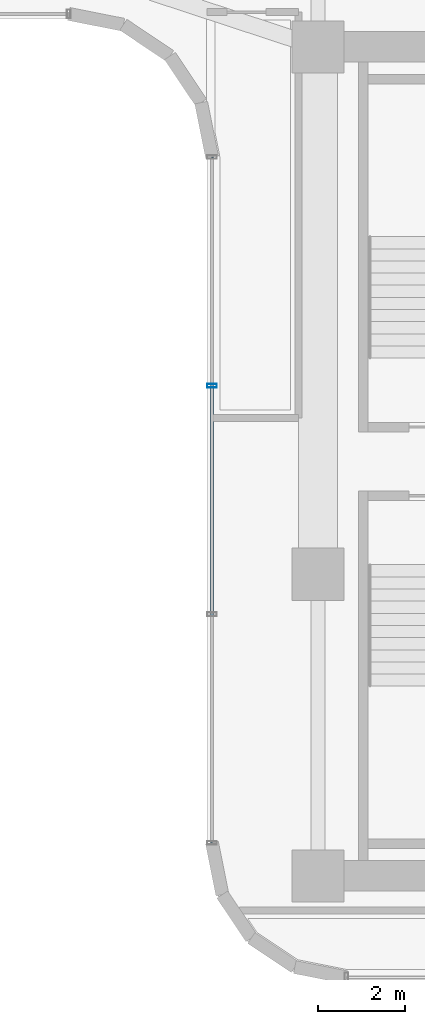
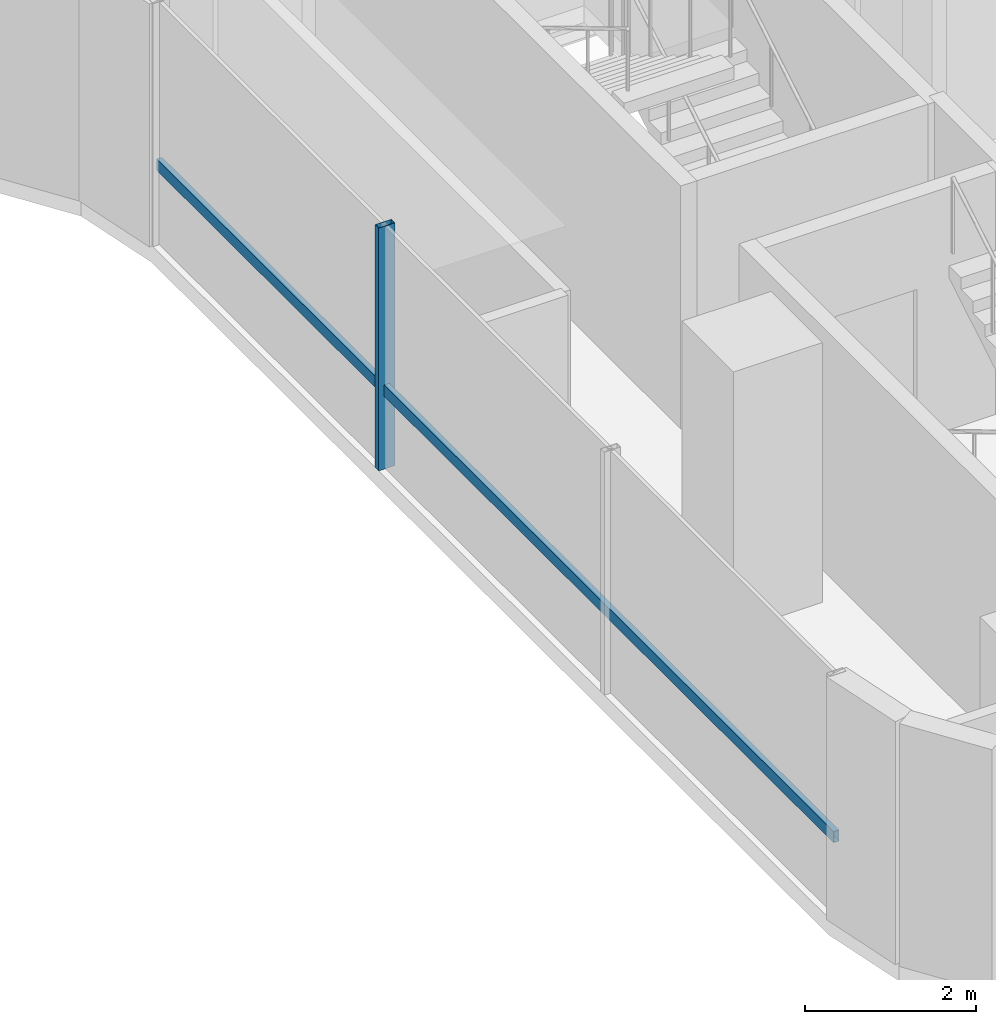
# One storey, part 15 of 38: 2 members, 1 element without a shape of its own.
"""IFC4 building model written with IfcOpenShell, lengths in metres."""

from ifc_helpers import new_model, si_unit, direction, frame, origin, origin_2d, place, context, subcontext, project, spatial, hollow_rectangle, extrude, source, transform, mapped, material, material_profile, profile_set, type_object, element, aggregate, save


model = new_model("IFC4")

# Units and contexts
model_context = context("Model", 3, precision=1e-05, world=origin(), true_north=direction((0.0, 1.0)))
body_context = subcontext(model_context, "Body", "Model", "MODEL_VIEW")
ifc_project = project(units=[si_unit("LENGTHUNIT", "METRE"), si_unit("AREAUNIT", "SQUARE_METRE"), si_unit("VOLUMEUNIT", "CUBIC_METRE"), si_unit("PLANEANGLEUNIT", "RADIAN"), si_unit("MASSUNIT", "GRAM", prefix="KILO")], contexts=[model_context])

# Site, building, storey
site_placement = place(None, origin())
site = spatial("IfcSite", under=ifc_project, at=site_placement, CompositionType="ELEMENT")
building_placement = place(site_placement, origin())
building = spatial("IfcBuilding", under=site, at=building_placement, Name="Valdorenza Pilgrim Sanctuary Tower", CompositionType="ELEMENT")
storey_placement = place(building_placement, frame((0.0, 0.0, 131.60009765625)))
storey = spatial("IfcBuildingStorey", under=building, at=storey_placement, Name="L33", CompositionType="ELEMENT", Elevation=131.60009765625)

# Curtain wall, members
ifc_material_1 = material(Name="Curtain-wall IGU glazing", Category="glass")
curtain_wall_type = type_object("IfcCurtainWallType", Name="CW-SYS-03", PredefinedType="NOTDEFINED", material=ifc_material_1)
curtain_wall_placement = place(storey_placement, origin())
curtain_wall = element("IfcCurtainWall", 1, at=curtain_wall_placement, inside=storey, type_object=curtain_wall_type, Name="L33 Curtain Wall CW-L33-1-31", PredefinedType="NOTDEFINED")
ifc_material_2 = material(Name="Anodised aluminium AW-6060", Category="aluminium")
ifc_material_profile_1 = material_profile(ifc_material_2, hollow_rectangle(XDim=0.0849609375, YDim=0.219970703125, WallThickness=0.0048828125, at=origin_2d()), Name="ALU-M 220x85x5")
ifc_profile_set_1 = profile_set([ifc_material_profile_1], Name="Anodised aluminium AW-6060")
member_type_1 = type_object("IfcMemberType", Name="CW-MUL-03", PredefinedType="MULLION", material=ifc_profile_set_1)
shared_shape_1 = source(origin(), body_context, "Body", "SweptSolid", [
    extrude(hollow_rectangle(XDim=0.0849609375, YDim=0.219970703125, WallThickness=0.0048828125, at=origin_2d()), origin(), (0.0, 0.0, 1.0), 3.4599609375),
])
member_1_placement = place(storey_placement, frame((13.409912109375, 1.744140625, 0.0), z_axis=(0.0, 0.0, 1.0), x_axis=(0.0, 1.0, 0.0)))
member_1 = element("IfcMember", 2, at=member_1_placement, type_object=member_type_1, Name="CW-L33-1-31 Mullion 3", PredefinedType="MULLION", context=body_context, shape_type="MappedRepresentation", body=[
    mapped(shared_shape_1, transform((0.0, 0.0, 0.0), x_axis=(1.0, 0.0, 0.0), y_axis=(0.0, 1.0, 0.0), z_axis=(0.0, 0.0, 1.0), scale=1.0)),
])
ifc_material_profile_2 = material_profile(ifc_material_2, hollow_rectangle(XDim=0.074951171875, YDim=0.159912109375, WallThickness=0.00390625, at=origin_2d()), Name="ALU-T 160x75x4")
ifc_profile_set_2 = profile_set([ifc_material_profile_2], Name="Anodised aluminium AW-6060")
member_type_2 = type_object("IfcMemberType", Name="CW-TRN-03", PredefinedType="USERDEFINED", material=ifc_profile_set_2)
shared_shape_2 = source(origin(), body_context, "Body", "SweptSolid", [
    extrude(hollow_rectangle(XDim=0.074951171875, YDim=0.159912109375, WallThickness=0.00390625, at=origin_2d()), origin(), (0.0, 0.0, 1.0), 15.800048828125),
])
member_2_placement = place(storey_placement, frame((13.409912109375, -8.789306640625, 1.119873046875), z_axis=(0.0, 1.0, 0.0), x_axis=(-1.0, 0.0, 0.0)))
member_2 = element("IfcMember", 3, at=member_2_placement, type_object=member_type_2, Name="CW-L33-1-31 Transom 1", ObjectType="TRANSOM", PredefinedType="USERDEFINED", context=body_context, shape_type="MappedRepresentation", body=[
    mapped(shared_shape_2, transform((0.0, 0.0, 0.0), x_axis=(1.0, 0.0, 0.0), y_axis=(0.0, 1.0, 0.0), z_axis=(0.0, 0.0, 1.0), scale=1.0)),
])
aggregate(curtain_wall, [member_1, member_2])

save(model, "model.ifc")
